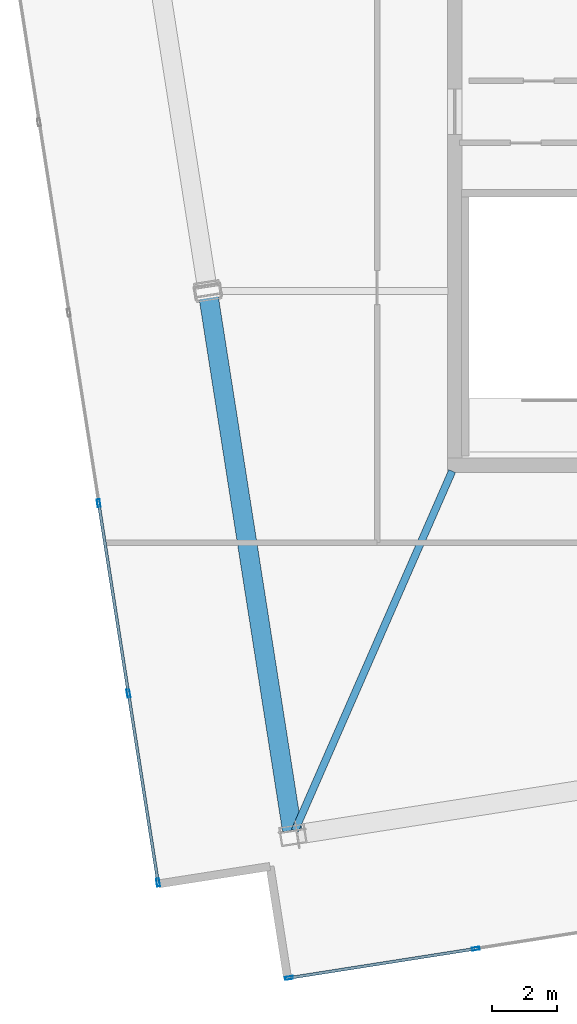
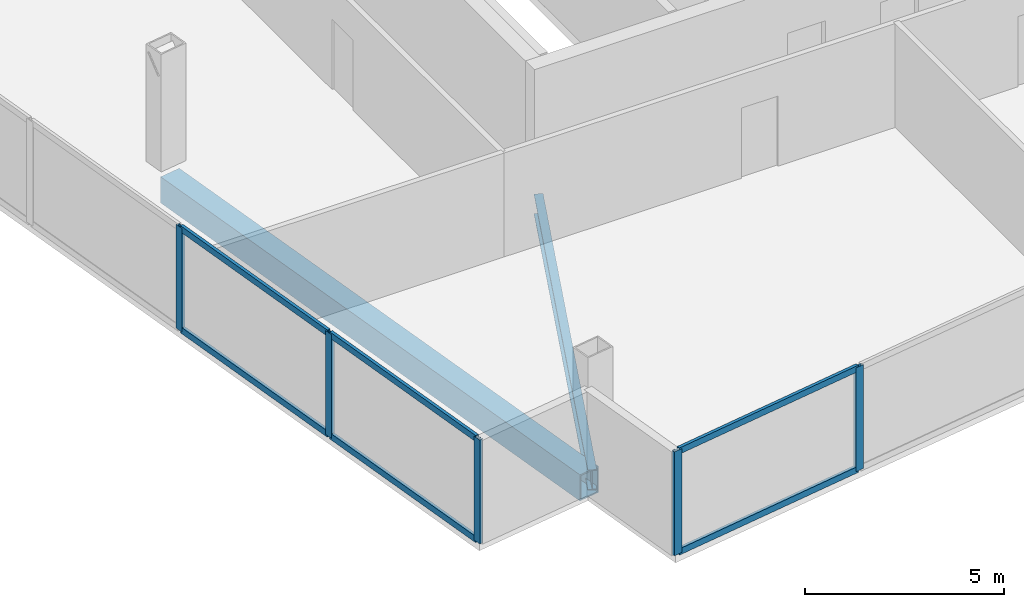
# One storey, part 2 of 17: 11 members, 2 beams, 2 elements without a shape of their own.
"""IFC4 building model written with IfcOpenShell, lengths in metres."""

import ifcopenshell
import ifcopenshell.guid

model = None  # the IFC model being written
_history = None  # IfcOwnerHistory: only IFC2X3 demands one
_inside = {}  # id of a spatial element -> (the spatial element, [elements in it])
_under = {}  # id of a project, library or spatial element -> (it, [spatial elements below it])
_declared = {}  # id of a project -> (the project, [libraries it declares])
_typed = {}  # id of a type object -> (the type object, [elements of that type])
_made_of = {}  # id of a material, layer set ... -> (it, [elements and type objects made of it])


def new_model(schema):
    """Start an empty IFC model of exactly this schema.

    Asked for "IFC4X3", IfcOpenShell would pick the latest addendum, in which some entities
    have other attributes; the version numbers below select the first issue.
    IFC2X3 requires an IfcOwnerHistory on every rooted entity: one is made here for all.
    """
    global model, _history
    if schema == "IFC4X3":
        model = ifcopenshell.file(schema_version=(4, 3, 0, 0))
    else:
        model = ifcopenshell.file(schema=schema)
    _inside.clear()
    _under.clear()
    _declared.clear()
    _typed.clear()
    _made_of.clear()
    _history = None
    if model.schema == "IFC2X3":
        org = make("IfcOrganization", Name="unknown")
        user = make(
            "IfcPersonAndOrganization",
            ThePerson=make("IfcPerson", FamilyName="unknown"),
            TheOrganization=org,
        )
        app = make(
            "IfcApplication",
            ApplicationDeveloper=org,
            Version="unknown",
            ApplicationFullName="unknown",
            ApplicationIdentifier="unknown",
        )
        _history = make(
            "IfcOwnerHistory",
            OwningUser=user,
            OwningApplication=app,
            ChangeAction="ADDED",
            CreationDate=0,
        )
    return model


def make(cls, **values):
    """One entity of the class cls with the attributes given. An attribute that is None is left unset."""
    return model.create_entity(
        cls, **{name: value for name, value in values.items() if value is not None}
    )


def rooted(cls, **values):
    """An entity with a GlobalId (a new one), such as an element, a storey or a relation."""
    return make(cls, GlobalId=ifcopenshell.guid.new(), OwnerHistory=_history, **values)


def si_unit(unit_type, name, prefix=None):
    """IfcSIUnit, for example si_unit("LENGTHUNIT", "METRE", prefix="MILLI")."""
    return make("IfcSIUnit", UnitType=unit_type, Prefix=prefix, Name=name)


def assignment(units):
    """IfcUnitAssignment: the units of a project."""
    return None if units is None else make("IfcUnitAssignment", Units=units)


def point(xyz):
    """IfcCartesianPoint."""
    return None if xyz is None else make("IfcCartesianPoint", Coordinates=xyz)


def direction(xyz):
    """IfcDirection."""
    return None if xyz is None else make("IfcDirection", DirectionRatios=xyz)


def frame(location, z_axis=None, x_axis=None):
    """IfcAxis2Placement3D, a coordinate frame: its origin and axes. An axis left out is left unset."""
    return make(
        "IfcAxis2Placement3D",
        Location=point(location),
        Axis=direction(z_axis),
        RefDirection=direction(x_axis),
    )


def frame_2d(location, x_axis=None):
    """IfcAxis2Placement2D, a coordinate frame in the plane: its origin and x axis."""
    return make(
        "IfcAxis2Placement2D", Location=point(location), RefDirection=direction(x_axis)
    )


def origin():
    """The frame at (0, 0, 0) with its axes left unset."""
    return frame((0.0, 0.0, 0.0))


def origin_2d():
    """The frame at (0, 0) in the plane with its x axis left unset."""
    return frame_2d((0.0, 0.0))


def place(relative_to, where):
    """IfcLocalPlacement: puts the frame where relative to a parent placement (None: the world)."""
    return make(
        "IfcLocalPlacement", PlacementRelTo=relative_to, RelativePlacement=where
    )


def context(
    kind, dimensions, precision=None, world=None, true_north=None, identifier=None
):
    """IfcGeometricRepresentationContext, for example the 3D "Model" context."""
    return make(
        "IfcGeometricRepresentationContext",
        ContextIdentifier=identifier,
        ContextType=kind,
        CoordinateSpaceDimension=dimensions,
        Precision=precision,
        WorldCoordinateSystem=world,
        TrueNorth=true_north,
    )


def subcontext(parent, identifier, kind, view, scale=None):
    """IfcGeometricRepresentationSubContext, for example "Body" below "Model"."""
    return make(
        "IfcGeometricRepresentationSubContext",
        ContextIdentifier=identifier,
        ContextType=kind,
        ParentContext=parent,
        TargetScale=scale,
        TargetView=view,
    )


def project(units=None, contexts=None):
    """IfcProject with its units and contexts."""
    return rooted(
        "IfcProject",
        Name="project",
        RepresentationContexts=contexts,
        UnitsInContext=assignment(units),
    )


def spatial(cls, under=None, at=None, **own):
    """A site, building, storey or space (cls), placed at a placement, below another one or the project."""
    s = rooted(cls, ObjectPlacement=at, **own)
    if under is not None:
        _under.setdefault(under.id(), (under, []))[1].append(s)
    return s


def profile(cls, at=None, kind="AREA", **sizes):
    """A parametric profile (cls). Its sizes go by their IFC names, for example OverallWidth=200.0."""
    return make(cls, ProfileType=kind, Position=at, **sizes)


def hollow_rectangle(**sizes):
    """IfcRectangleHollowProfileDef."""
    return profile("IfcRectangleHollowProfileDef", **sizes)


def i_section(**sizes):
    """IfcIShapeProfileDef."""
    return profile("IfcIShapeProfileDef", **sizes)


def extrude(swept, where, along, depth):
    """IfcExtrudedAreaSolid: the profile swept, set in the frame where, extruded along a direction by depth."""
    return make(
        "IfcExtrudedAreaSolid",
        SweptArea=swept,
        Position=where,
        ExtrudedDirection=direction(along),
        Depth=depth,
    )


def shape(context_of_items, identifier, shape_type, items):
    """IfcShapeRepresentation: the items that make up one representation, for example the "Body"."""
    return make(
        "IfcShapeRepresentation",
        ContextOfItems=context_of_items,
        RepresentationIdentifier=identifier,
        RepresentationType=shape_type,
        Items=items,
    )


def material(Name=None, Category=None):
    """IfcMaterial."""
    return make("IfcMaterial", Name=Name, Category=Category)


def material_profile(
    of_material, cross_section, Name=None, Category=None, Priority=None
):
    """IfcMaterialProfile: a cross section and its material."""
    return make(
        "IfcMaterialProfile",
        Name=Name,
        Material=of_material,
        Profile=cross_section,
        Priority=Priority,
        Category=Category,
    )


def profile_set(profiles, Name=None, composite=None):
    """IfcMaterialProfileSet."""
    return make(
        "IfcMaterialProfileSet",
        Name=Name,
        MaterialProfiles=profiles,
        CompositeProfile=composite,
    )


def made_of(thing, what):
    """Note that an element or type object is made of a material, layer set ...; save() writes the relation."""
    if what is not None:
        _made_of.setdefault(what.id(), (what, []))[1].append(thing)
    return thing


def type_object(cls, material=None, **own):
    """A type object (cls), such as IfcWallType, which elements share."""
    return made_of(rooted(cls, **own), material)


def element(
    cls,
    number,
    at=None,
    inside=None,
    cuts=None,
    type_object=None,
    material=None,
    context=None,
    identifier="Body",
    shape_type=None,
    held_by="IfcProductDefinitionShape",
    body=None,
    shapes=None,
    **own,
):
    """One element of the class cls, such as IfcWall. Its Tag is "e" and its number.

    at: its placement. inside: the storey or other place that contains it. cuts: it is an
    opening in that element (IfcRelVoidsElement). A single representation is given by context,
    identifier, shape_type and body (its items); several are given by shapes. held_by: the class
    of the entity that holds the representations. save() writes the other relations.
    """
    e = rooted(cls, Tag="e%d" % number, ObjectPlacement=at, **own)
    if body is not None:
        shapes = [shape(context, identifier, shape_type, body)]
    if shapes is not None:
        e.Representation = make(held_by, Representations=shapes)
    if inside is not None:
        _inside.setdefault(inside.id(), (inside, []))[1].append(e)
    if cuts is not None:
        rooted(
            "IfcRelVoidsElement", RelatingBuildingElement=cuts, RelatedOpeningElement=e
        )
    if type_object is not None:
        _typed.setdefault(type_object.id(), (type_object, []))[1].append(e)
    return made_of(e, material)


def aggregate(whole, parts):
    """IfcRelAggregates: a whole, such as a stair, and the parts it consists of."""
    return rooted("IfcRelAggregates", RelatingObject=whole, RelatedObjects=parts)


def save(model, path):
    """Write the relations noted so far, then the file.

    IfcRelAggregates (storeys below a building ...), IfcRelContainedInSpatialStructure (elements
    in a storey), IfcRelDefinesByType, IfcRelAssociatesMaterial and IfcRelDeclares: one each for
    every whole, place, type object, material and project.
    """
    for whole, parts in _under.values():
        aggregate(whole, parts)
    for where, things in _inside.values():
        rooted(
            "IfcRelContainedInSpatialStructure",
            RelatedElements=things,
            RelatingStructure=where,
        )
    for kind, things in _typed.values():
        rooted("IfcRelDefinesByType", RelatedObjects=things, RelatingType=kind)
    for what, things in _made_of.values():
        rooted("IfcRelAssociatesMaterial", RelatedObjects=things, RelatingMaterial=what)
    for by, libraries in _declared.values():
        rooted("IfcRelDeclares", RelatingContext=by, RelatedDefinitions=libraries)
    model.write(path)


model = new_model("IFC4")

# Units and contexts
model_context = context("Model", 3, precision=1e-05, world=origin(), true_north=direction((0.0, 1.0)))
body_context = subcontext(model_context, "Body", "Model", "MODEL_VIEW")
ifc_project = project(units=[si_unit("LENGTHUNIT", "METRE"), si_unit("AREAUNIT", "SQUARE_METRE"), si_unit("VOLUMEUNIT", "CUBIC_METRE"), si_unit("PLANEANGLEUNIT", "RADIAN"), si_unit("MASSUNIT", "GRAM", prefix="KILO")], contexts=[model_context])

# Site, building, storey
site_placement = place(None, origin())
site = spatial("IfcSite", under=ifc_project, at=site_placement, CompositionType="ELEMENT")
building_placement = place(site_placement, origin())
building = spatial("IfcBuilding", under=site, at=building_placement, Name="Haldenkirk Collegiate Tower", CompositionType="ELEMENT")
storey_placement = place(building_placement, frame((0.0, 0.0, 371.39990234375)))
storey = spatial("IfcBuildingStorey", under=building, at=storey_placement, Name="L94", CompositionType="ELEMENT", Elevation=371.39990234375)

# Beams
ifc_material_1 = material(Name="Steel ASTM A992 Grade 50", Category="steel")
ifc_material_profile_1 = material_profile(ifc_material_1, i_section(OverallWidth=0.22998046875, OverallDepth=0.616943359375, WebThickness=0.01318359375, FlangeThickness=0.022216796875, at=origin_2d()), Name="W24X94")
ifc_profile_set_1 = profile_set([ifc_material_profile_1], Name="Steel ASTM A992 Grade 50")
beam_type_1 = type_object("IfcBeamType", Name="BM-GIRDER-W24X94", PredefinedType="BEAM", material=ifc_profile_set_1)
beam_1_placement = place(storey_placement, frame((22.05078125, 6.685791015625, -0.578369140625), z_axis=(0.400769288395, 0.916179009517, 0.0), x_axis=(-0.916179009517, 0.400769288395, 0.0)))
element("IfcBeam", 1, at=beam_1_placement, inside=storey, type_object=beam_type_1, Name="L94 crown radial floor beam 7", PredefinedType="BEAM", context=body_context, shape_type="SweptSolid", body=[
    extrude(i_section(OverallWidth=0.22998046875, OverallDepth=0.616943359375, WebThickness=0.01318359375, FlangeThickness=0.022216796875, at=origin_2d()), origin(), (0.0, 0.0, 1.0), 12.1494140625),
])
ifc_material_2 = material(Name="Steel ASTM A572 Grade 50", Category="steel")
ifc_material_profile_2 = material_profile(ifc_material_2, hollow_rectangle(XDim=0.60009765625, YDim=0.800048828125, WallThickness=0.0400390625, at=origin_2d()), Name="BOX800X600X40")
ifc_profile_set_2 = profile_set([ifc_material_profile_2], Name="Steel ASTM A572 Grade 50")
beam_type_2 = type_object("IfcBeamType", Name="BM-SPANDREL-BOX800X600X40", PredefinedType="SPANDREL", material=ifc_profile_set_2)
beam_2_placement = place(storey_placement, frame((19.376220703125, 23.244873046875, -0.669921875), z_axis=(0.154705009471, -0.987960707743, 0.0), x_axis=(0.987960707743, 0.154705009471, 0.0)))
element("IfcBeam", 2, at=beam_2_placement, inside=storey, type_object=beam_type_2, Name="L94 Crown Ring Frame perimeter girder 6", PredefinedType="SPANDREL", context=body_context, shape_type="SweptSolid", body=[
    extrude(hollow_rectangle(XDim=0.60009765625, YDim=0.800048828125, WallThickness=0.0400390625, at=origin_2d()), origin(), (0.0, 0.0, 1.0), 16.75),
])

# Curtain wall, members
ifc_material_3 = material(Name="Anodised architectural bronze aluminium", Category="aluminium")
curtain_wall_type = type_object("IfcCurtainWallType", Name="CW-SYS6-CROWN", PredefinedType="USERDEFINED", material=ifc_material_3)
curtain_wall_1_placement = place(storey_placement, origin())
curtain_wall_1 = element("IfcCurtainWall", 3, at=curtain_wall_1_placement, inside=storey, type_object=curtain_wall_type, Name="L94 Closed crown ring ceramic-fritted bronze screen curtain wall", ObjectType="UNITISED CURTAIN WALL", PredefinedType="USERDEFINED")
ifc_material_profile_3 = material_profile(ifc_material_3, hollow_rectangle(XDim=0.090087890625, YDim=0.239990234375, WallThickness=0.0048828125, at=origin_2d()), Name="CW-MUL-06")
ifc_profile_set_3 = profile_set([ifc_material_profile_3], Name="Anodised architectural bronze aluminium")
member_type_1 = type_object("IfcMemberType", Name="CW-MUL-06", PredefinedType="MULLION", material=ifc_profile_set_3)
member_1_placement = place(storey_placement, frame((17.817626953125, 5.080078125, 0.0), z_axis=(0.0, 0.0, 1.0), x_axis=(-0.987959532462, -0.154712514742, 0.0)))
member_1 = element("IfcMember", 4, at=member_1_placement, type_object=member_type_1, Name="CW-06 mullion 1", PredefinedType="MULLION", context=body_context, shape_type="SweptSolid", body=[
    extrude(hollow_rectangle(XDim=0.090087890625, YDim=0.239990234375, WallThickness=0.0048828125, at=origin_2d()), origin(), (0.0, 0.0, 1.0), 3.18017578125),
])
member_2_placement = place(storey_placement, frame((16.9013671875, 10.930419921875, 0.0), z_axis=(0.0, 0.0, 1.0), x_axis=(-0.987959532462, -0.154712514742, 0.0)))
member_2 = element("IfcMember", 5, at=member_2_placement, type_object=member_type_1, Name="CW-06 mullion 2", PredefinedType="MULLION", context=body_context, shape_type="SweptSolid", body=[
    extrude(hollow_rectangle(XDim=0.090087890625, YDim=0.239990234375, WallThickness=0.0048828125, at=origin_2d()), origin(), (0.0, 0.0, 1.0), 3.18017578125),
])
member_3_placement = place(storey_placement, frame((15.978271484375, 16.825439453125, 0.0), z_axis=(0.0, 0.0, 1.0), x_axis=(-0.987959532462, -0.154712514742, 0.0)))
member_3 = element("IfcMember", 6, at=member_3_placement, type_object=member_type_1, Name="CW-06 mullion 3", PredefinedType="MULLION", context=body_context, shape_type="SweptSolid", body=[
    extrude(hollow_rectangle(XDim=0.090087890625, YDim=0.239990234375, WallThickness=0.0048828125, at=origin_2d()), origin(), (0.0, 0.0, 1.0), 3.18017578125),
])

curtain_wall_2_placement = place(storey_placement, origin())
curtain_wall_2 = element("IfcCurtainWall", 7, at=curtain_wall_2_placement, inside=storey, type_object=curtain_wall_type, Name="L94 Closed crown ring ceramic-fritted bronze screen curtain wall", ObjectType="UNITISED CURTAIN WALL", PredefinedType="USERDEFINED")
member_4_placement = place(storey_placement, frame((27.65283203125, 3.031982421875, 0.0), z_axis=(0.0, 0.0, 1.0), x_axis=(0.154708982189, -0.987960085646, 0.0)))
member_4 = element("IfcMember", 8, at=member_4_placement, type_object=member_type_1, Name="CW-06 mullion 6", PredefinedType="MULLION", context=body_context, shape_type="SweptSolid", body=[
    extrude(hollow_rectangle(XDim=0.090087890625, YDim=0.239990234375, WallThickness=0.0048828125, at=origin_2d()), origin(), (0.0, 0.0, 1.0), 3.18017578125),
])
member_5_placement = place(storey_placement, frame((21.868408203125, 2.126220703125, 0.0), z_axis=(0.0, 0.0, 1.0), x_axis=(0.154708982189, -0.987960085646, 0.0)))
member_5 = element("IfcMember", 9, at=member_5_placement, type_object=member_type_1, Name="CW-06 mullion 7", PredefinedType="MULLION", context=body_context, shape_type="SweptSolid", body=[
    extrude(hollow_rectangle(XDim=0.090087890625, YDim=0.239990234375, WallThickness=0.0048828125, at=origin_2d()), origin(), (0.0, 0.0, 1.0), 3.18017578125),
])

# Member
ifc_material_profile_4 = material_profile(ifc_material_3, hollow_rectangle(XDim=0.090087890625, YDim=0.18994140625, WallThickness=0.0048828125, at=origin_2d()), Name="CW-TRN-06")
ifc_profile_set_4 = profile_set([ifc_material_profile_4], Name="Anodised architectural bronze aluminium")
member_type_2 = type_object("IfcMemberType", Name="CW-TRN-06", PredefinedType="USERDEFINED", material=ifc_profile_set_4)
member_6_placement = place(storey_placement, frame((17.810791015625, 5.12451171875, 0.045166015625), z_axis=(-0.154730622105, 0.987956696714, 0.0), x_axis=(-0.987956696714, -0.154730622105, 0.0)))
member_6 = element("IfcMember", 10, at=member_6_placement, type_object=member_type_2, Name="CW-06 transom 1.1", ObjectType="TRANSOM", PredefinedType="USERDEFINED", context=body_context, shape_type="SweptSolid", body=[
    extrude(hollow_rectangle(XDim=0.090087890625, YDim=0.18994140625, WallThickness=0.0048828125, at=origin_2d()), origin(), (0.0, 0.0, 1.0), 5.831787109375),
])

member_7_placement = place(storey_placement, frame((17.810791015625, 5.12451171875, 3.135009765625), z_axis=(-0.154730622105, 0.987956696714, 0.0), x_axis=(-0.987956696714, -0.154730622105, 0.0)))
member_7 = element("IfcMember", 11, at=member_7_placement, type_object=member_type_2, Name="CW-06 transom 1.2", ObjectType="TRANSOM", PredefinedType="USERDEFINED", context=body_context, shape_type="SweptSolid", body=[
    extrude(hollow_rectangle(XDim=0.090087890625, YDim=0.18994140625, WallThickness=0.0048828125, at=origin_2d()), origin(), (0.0, 0.0, 1.0), 5.831787109375),
])

member_8_placement = place(storey_placement, frame((16.89453125, 10.974853515625, 0.045166015625), z_axis=(-0.154710174658, 0.987959898912, 0.0), x_axis=(-0.987959898912, -0.154710174658, 0.0)))
member_8 = element("IfcMember", 12, at=member_8_placement, type_object=member_type_2, Name="CW-06 transom 2.1", ObjectType="TRANSOM", PredefinedType="USERDEFINED", context=body_context, shape_type="SweptSolid", body=[
    extrude(hollow_rectangle(XDim=0.090087890625, YDim=0.18994140625, WallThickness=0.0048828125, at=origin_2d()), origin(), (0.0, 0.0, 1.0), 5.876708984375),
])

member_9_placement = place(storey_placement, frame((16.89453125, 10.974853515625, 3.135009765625), z_axis=(-0.154710174658, 0.987959898912, 0.0), x_axis=(-0.987959898912, -0.154710174658, 0.0)))
member_9 = element("IfcMember", 13, at=member_9_placement, type_object=member_type_2, Name="CW-06 transom 2.2", ObjectType="TRANSOM", PredefinedType="USERDEFINED", context=body_context, shape_type="SweptSolid", body=[
    extrude(hollow_rectangle(XDim=0.090087890625, YDim=0.18994140625, WallThickness=0.0048828125, at=origin_2d()), origin(), (0.0, 0.0, 1.0), 5.876708984375),
])

aggregate(curtain_wall_1, [member_1, member_2, member_3, member_6, member_7, member_8, member_9])

member_10_placement = place(storey_placement, frame((27.6083984375, 3.025146484375, 0.045166015625), z_axis=(-0.987961315074, -0.154701130951, 0.0), x_axis=(0.154701130951, -0.987961315074, 0.0)))
member_10 = element("IfcMember", 14, at=member_10_placement, type_object=member_type_2, Name="CW-06 transom 6.1", ObjectType="TRANSOM", PredefinedType="USERDEFINED", context=body_context, shape_type="SweptSolid", body=[
    extrude(hollow_rectangle(XDim=0.090087890625, YDim=0.18994140625, WallThickness=0.0048828125, at=origin_2d()), origin(), (0.0, 0.0, 1.0), 5.764892578125),
])

member_11_placement = place(storey_placement, frame((27.6083984375, 3.025146484375, 3.135009765625), z_axis=(-0.987961315074, -0.154701130951, 0.0), x_axis=(0.154701130951, -0.987961315074, 0.0)))
member_11 = element("IfcMember", 15, at=member_11_placement, type_object=member_type_2, Name="CW-06 transom 6.2", ObjectType="TRANSOM", PredefinedType="USERDEFINED", context=body_context, shape_type="SweptSolid", body=[
    extrude(hollow_rectangle(XDim=0.090087890625, YDim=0.18994140625, WallThickness=0.0048828125, at=origin_2d()), origin(), (0.0, 0.0, 1.0), 5.764892578125),
])

aggregate(curtain_wall_2, [member_4, member_5, member_10, member_11])

save(model, "model.ifc")
